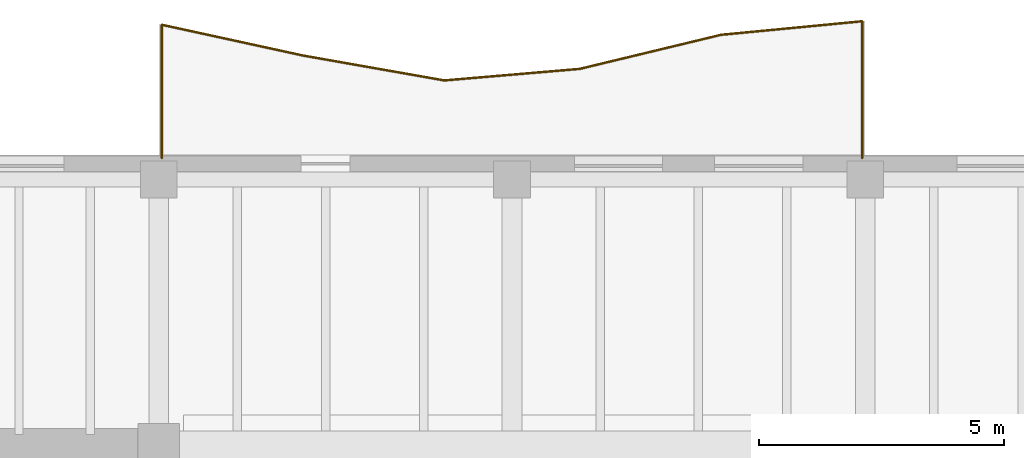
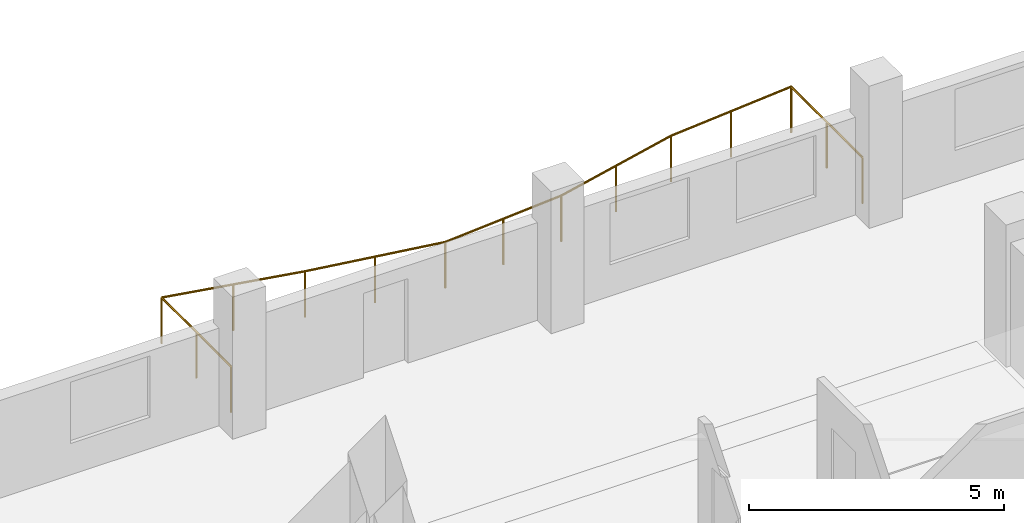
# One storey, part 11 of 12: 1 railing.
"""IFC4 building model written with IfcOpenShell, lengths in metres."""

import ifcopenshell
import ifcopenshell.guid

model = None  # the IFC model being written
_history = None  # IfcOwnerHistory: only IFC2X3 demands one
_inside = {}  # id of a spatial element -> (the spatial element, [elements in it])
_under = {}  # id of a project, library or spatial element -> (it, [spatial elements below it])
_declared = {}  # id of a project -> (the project, [libraries it declares])
_typed = {}  # id of a type object -> (the type object, [elements of that type])
_made_of = {}  # id of a material, layer set ... -> (it, [elements and type objects made of it])


def new_model(schema):
    """Start an empty IFC model of exactly this schema.

    Asked for "IFC4X3", IfcOpenShell would pick the latest addendum, in which some entities
    have other attributes; the version numbers below select the first issue.
    IFC2X3 requires an IfcOwnerHistory on every rooted entity: one is made here for all.
    """
    global model, _history
    if schema == "IFC4X3":
        model = ifcopenshell.file(schema_version=(4, 3, 0, 0))
    else:
        model = ifcopenshell.file(schema=schema)
    _inside.clear()
    _under.clear()
    _declared.clear()
    _typed.clear()
    _made_of.clear()
    _history = None
    if model.schema == "IFC2X3":
        org = make("IfcOrganization", Name="unknown")
        user = make(
            "IfcPersonAndOrganization",
            ThePerson=make("IfcPerson", FamilyName="unknown"),
            TheOrganization=org,
        )
        app = make(
            "IfcApplication",
            ApplicationDeveloper=org,
            Version="unknown",
            ApplicationFullName="unknown",
            ApplicationIdentifier="unknown",
        )
        _history = make(
            "IfcOwnerHistory",
            OwningUser=user,
            OwningApplication=app,
            ChangeAction="ADDED",
            CreationDate=0,
        )
    return model


def make(cls, **values):
    """One entity of the class cls with the attributes given. An attribute that is None is left unset."""
    return model.create_entity(
        cls, **{name: value for name, value in values.items() if value is not None}
    )


def rooted(cls, **values):
    """An entity with a GlobalId (a new one), such as an element, a storey or a relation."""
    return make(cls, GlobalId=ifcopenshell.guid.new(), OwnerHistory=_history, **values)


def si_unit(unit_type, name, prefix=None):
    """IfcSIUnit, for example si_unit("LENGTHUNIT", "METRE", prefix="MILLI")."""
    return make("IfcSIUnit", UnitType=unit_type, Prefix=prefix, Name=name)


def assignment(units):
    """IfcUnitAssignment: the units of a project."""
    return None if units is None else make("IfcUnitAssignment", Units=units)


def point(xyz):
    """IfcCartesianPoint."""
    return None if xyz is None else make("IfcCartesianPoint", Coordinates=xyz)


def direction(xyz):
    """IfcDirection."""
    return None if xyz is None else make("IfcDirection", DirectionRatios=xyz)


def frame(location, z_axis=None, x_axis=None):
    """IfcAxis2Placement3D, a coordinate frame: its origin and axes. An axis left out is left unset."""
    return make(
        "IfcAxis2Placement3D",
        Location=point(location),
        Axis=direction(z_axis),
        RefDirection=direction(x_axis),
    )


def frame_2d(location, x_axis=None):
    """IfcAxis2Placement2D, a coordinate frame in the plane: its origin and x axis."""
    return make(
        "IfcAxis2Placement2D", Location=point(location), RefDirection=direction(x_axis)
    )


def origin():
    """The frame at (0, 0, 0) with its axes left unset."""
    return frame((0.0, 0.0, 0.0))


def origin_2d():
    """The frame at (0, 0) in the plane with its x axis left unset."""
    return frame_2d((0.0, 0.0))


def place(relative_to, where):
    """IfcLocalPlacement: puts the frame where relative to a parent placement (None: the world)."""
    return make(
        "IfcLocalPlacement", PlacementRelTo=relative_to, RelativePlacement=where
    )


def context(
    kind, dimensions, precision=None, world=None, true_north=None, identifier=None
):
    """IfcGeometricRepresentationContext, for example the 3D "Model" context."""
    return make(
        "IfcGeometricRepresentationContext",
        ContextIdentifier=identifier,
        ContextType=kind,
        CoordinateSpaceDimension=dimensions,
        Precision=precision,
        WorldCoordinateSystem=world,
        TrueNorth=true_north,
    )


def subcontext(parent, identifier, kind, view, scale=None):
    """IfcGeometricRepresentationSubContext, for example "Body" below "Model"."""
    return make(
        "IfcGeometricRepresentationSubContext",
        ContextIdentifier=identifier,
        ContextType=kind,
        ParentContext=parent,
        TargetScale=scale,
        TargetView=view,
    )


def project(units=None, contexts=None):
    """IfcProject with its units and contexts."""
    return rooted(
        "IfcProject",
        Name="project",
        RepresentationContexts=contexts,
        UnitsInContext=assignment(units),
    )


def spatial(cls, under=None, at=None, **own):
    """A site, building, storey or space (cls), placed at a placement, below another one or the project."""
    s = rooted(cls, ObjectPlacement=at, **own)
    if under is not None:
        _under.setdefault(under.id(), (under, []))[1].append(s)
    return s


def profile(cls, at=None, kind="AREA", **sizes):
    """A parametric profile (cls). Its sizes go by their IFC names, for example OverallWidth=200.0."""
    return make(cls, ProfileType=kind, Position=at, **sizes)


def circle(**sizes):
    """IfcCircleProfileDef."""
    return profile("IfcCircleProfileDef", **sizes)


def extrude(swept, where, along, depth):
    """IfcExtrudedAreaSolid: the profile swept, set in the frame where, extruded along a direction by depth."""
    return make(
        "IfcExtrudedAreaSolid",
        SweptArea=swept,
        Position=where,
        ExtrudedDirection=direction(along),
        Depth=depth,
    )


def shape(context_of_items, identifier, shape_type, items):
    """IfcShapeRepresentation: the items that make up one representation, for example the "Body"."""
    return make(
        "IfcShapeRepresentation",
        ContextOfItems=context_of_items,
        RepresentationIdentifier=identifier,
        RepresentationType=shape_type,
        Items=items,
    )


def material(Name=None, Category=None):
    """IfcMaterial."""
    return make("IfcMaterial", Name=Name, Category=Category)


def made_of(thing, what):
    """Note that an element or type object is made of a material, layer set ...; save() writes the relation."""
    if what is not None:
        _made_of.setdefault(what.id(), (what, []))[1].append(thing)
    return thing


def type_object(cls, material=None, **own):
    """A type object (cls), such as IfcWallType, which elements share."""
    return made_of(rooted(cls, **own), material)


def element(
    cls,
    number,
    at=None,
    inside=None,
    cuts=None,
    type_object=None,
    material=None,
    context=None,
    identifier="Body",
    shape_type=None,
    held_by="IfcProductDefinitionShape",
    body=None,
    shapes=None,
    **own,
):
    """One element of the class cls, such as IfcWall. Its Tag is "e" and its number.

    at: its placement. inside: the storey or other place that contains it. cuts: it is an
    opening in that element (IfcRelVoidsElement). A single representation is given by context,
    identifier, shape_type and body (its items); several are given by shapes. held_by: the class
    of the entity that holds the representations. save() writes the other relations.
    """
    e = rooted(cls, Tag="e%d" % number, ObjectPlacement=at, **own)
    if body is not None:
        shapes = [shape(context, identifier, shape_type, body)]
    if shapes is not None:
        e.Representation = make(held_by, Representations=shapes)
    if inside is not None:
        _inside.setdefault(inside.id(), (inside, []))[1].append(e)
    if cuts is not None:
        rooted(
            "IfcRelVoidsElement", RelatingBuildingElement=cuts, RelatedOpeningElement=e
        )
    if type_object is not None:
        _typed.setdefault(type_object.id(), (type_object, []))[1].append(e)
    return made_of(e, material)


def aggregate(whole, parts):
    """IfcRelAggregates: a whole, such as a stair, and the parts it consists of."""
    return rooted("IfcRelAggregates", RelatingObject=whole, RelatedObjects=parts)


def save(model, path):
    """Write the relations noted so far, then the file.

    IfcRelAggregates (storeys below a building ...), IfcRelContainedInSpatialStructure (elements
    in a storey), IfcRelDefinesByType, IfcRelAssociatesMaterial and IfcRelDeclares: one each for
    every whole, place, type object, material and project.
    """
    for whole, parts in _under.values():
        aggregate(whole, parts)
    for where, things in _inside.values():
        rooted(
            "IfcRelContainedInSpatialStructure",
            RelatedElements=things,
            RelatingStructure=where,
        )
    for kind, things in _typed.values():
        rooted("IfcRelDefinesByType", RelatedObjects=things, RelatingType=kind)
    for what, things in _made_of.values():
        rooted("IfcRelAssociatesMaterial", RelatedObjects=things, RelatingMaterial=what)
    for by, libraries in _declared.values():
        rooted("IfcRelDeclares", RelatingContext=by, RelatedDefinitions=libraries)
    model.write(path)


model = new_model("IFC4")

# Units and contexts
model_context = context("Model", 3, precision=1e-05, world=origin(), true_north=direction((0.0, 1.0)))
body_context = subcontext(model_context, "Body", "Model", "MODEL_VIEW")
ifc_project = project(units=[si_unit("LENGTHUNIT", "METRE"), si_unit("AREAUNIT", "SQUARE_METRE"), si_unit("VOLUMEUNIT", "CUBIC_METRE"), si_unit("PLANEANGLEUNIT", "RADIAN"), si_unit("MASSUNIT", "GRAM", prefix="KILO")], contexts=[model_context])

# Site, building, storey
site_placement = place(None, origin())
site = spatial("IfcSite", under=ifc_project, at=site_placement, CompositionType="ELEMENT")
building_placement = place(site_placement, origin())
building = spatial("IfcBuilding", under=site, at=building_placement, Name="Kranthara Brick Stack", CompositionType="ELEMENT")
storey_placement = place(building_placement, frame((0.0, 0.0, 224.5)))
storey = spatial("IfcBuildingStorey", under=building, at=storey_placement, Name="L58", CompositionType="ELEMENT", Elevation=224.5)

# Railing
ifc_material = material(Name="Bronze anodised aluminium and laminated glass balustrade", Category="aluminium")
railing_type = type_object("IfcRailingType", Name="RL-BALC-1120", PredefinedType="BALUSTRADE", material=ifc_material)
railing_placement = place(storey_placement, frame((20.860107421875, 39.43994140625, 0.0)))
element("IfcRailing", 1, at=railing_placement, inside=storey, type_object=railing_type, Name="L58 North Rippling Balcony Balustrade", PredefinedType="BALUSTRADE", context=body_context, shape_type="SweptSolid", body=[
    extrude(circle(Radius=0.02392578125, at=origin_2d()), frame((0.0, 0.0, 1.09619140625), z_axis=(-0.000269469136, 0.999999963693, 0.0), x_axis=(-0.999999963693, -0.000269469136, 0.0)), (0.0, 0.0, 1.0), 2.718017578125),
    extrude(circle(Radius=0.02392578125, at=origin_2d()), frame((-0.000732421875, 2.718017578125, 1.09619140625), z_axis=(0.977086582249, -0.212842220409, 0.0), x_axis=(0.212842220409, 0.977086582249, 0.0)), (0.0, 0.0, 1.0), 2.947998046875),
    extrude(circle(Radius=0.02392578125, at=origin_2d()), frame((2.879638671875, 2.090576171875, 1.09619140625), z_axis=(0.984823872038, -0.173556737303, 0.0), x_axis=(0.173556737303, 0.984823872038, 0.0)), (0.0, 0.0, 1.0), 2.924560546875),
    extrude(circle(Radius=0.02392578125, at=origin_2d()), frame((5.759765625, 1.5830078125, 1.09619140625), z_axis=(0.99638468649, 0.084956203589, 0.0), x_axis=(-0.084956203589, 0.99638468649, 0.0)), (0.0, 0.0, 1.0), 2.770263671875),
    extrude(circle(Radius=0.02392578125, at=origin_2d()), frame((8.52001953125, 1.818359375, 1.09619140625), z_axis=(0.972143732499, 0.234385501607, 0.0), x_axis=(-0.234385501607, 0.972143732499, 0.0)), (0.0, 0.0, 1.0), 2.96337890625),
    extrude(circle(Radius=0.02392578125, at=origin_2d()), frame((11.40087890625, 2.512939453125, 1.09619140625), z_axis=(0.995418147335, 0.095617529541, 0.0), x_axis=(-0.095617529541, 0.995418147335, 0.0)), (0.0, 0.0, 1.0), 2.892822265625),
    extrude(circle(Radius=0.02392578125, at=origin_2d()), frame((14.280517578125, 2.78955078125, 1.09619140625), z_axis=(-0.000262559067, -0.999999965531, 0.0), x_axis=(0.999999965531, -0.000262559067, 0.0)), (0.0, 0.0, 1.0), 2.78955078125),
    extrude(circle(Radius=0.02099609375, at=origin_2d()), origin(), (0.0, 0.0, 1.0), 1.072021484375),
    extrude(circle(Radius=0.02099609375, at=origin_2d()), frame((-0.00048828125, 1.35888671875, 0.0)), (0.0, 0.0, 1.0), 1.072021484375),
    extrude(circle(Radius=0.02099609375, at=origin_2d()), frame((-0.000732421875, 2.718017578125, 0.0)), (0.0, 0.0, 1.0), 1.072021484375),
    extrude(circle(Radius=0.02099609375, at=origin_2d()), frame((1.439453125, 2.404296875, 0.0)), (0.0, 0.0, 1.0), 1.072021484375),
    extrude(circle(Radius=0.02099609375, at=origin_2d()), frame((2.879638671875, 2.090576171875, 0.0)), (0.0, 0.0, 1.0), 1.072021484375),
    extrude(circle(Radius=0.02099609375, at=origin_2d()), frame((4.31982421875, 1.8369140625, 0.0)), (0.0, 0.0, 1.0), 1.072021484375),
    extrude(circle(Radius=0.02099609375, at=origin_2d()), frame((5.759765625, 1.5830078125, 0.0)), (0.0, 0.0, 1.0), 1.072021484375),
    extrude(circle(Radius=0.02099609375, at=origin_2d()), frame((7.139892578125, 1.70068359375, 0.0)), (0.0, 0.0, 1.0), 1.072021484375),
    extrude(circle(Radius=0.02099609375, at=origin_2d()), frame((8.52001953125, 1.818359375, 0.0)), (0.0, 0.0, 1.0), 1.072021484375),
    extrude(circle(Radius=0.02099609375, at=origin_2d()), frame((9.96044921875, 2.16552734375, 0.0)), (0.0, 0.0, 1.0), 1.072021484375),
    extrude(circle(Radius=0.02099609375, at=origin_2d()), frame((11.40087890625, 2.512939453125, 0.0)), (0.0, 0.0, 1.0), 1.072021484375),
    extrude(circle(Radius=0.02099609375, at=origin_2d()), frame((12.8408203125, 2.6513671875, 0.0)), (0.0, 0.0, 1.0), 1.072021484375),
    extrude(circle(Radius=0.02099609375, at=origin_2d()), frame((14.280517578125, 2.78955078125, 0.0)), (0.0, 0.0, 1.0), 1.072021484375),
    extrude(circle(Radius=0.02099609375, at=origin_2d()), frame((14.2802734375, 1.394775390625, 0.0)), (0.0, 0.0, 1.0), 1.072021484375),
    extrude(circle(Radius=0.02099609375, at=origin_2d()), frame((14.27978515625, 0.0, 0.0)), (0.0, 0.0, 1.0), 1.072021484375),
])

save(model, "model.ifc")
